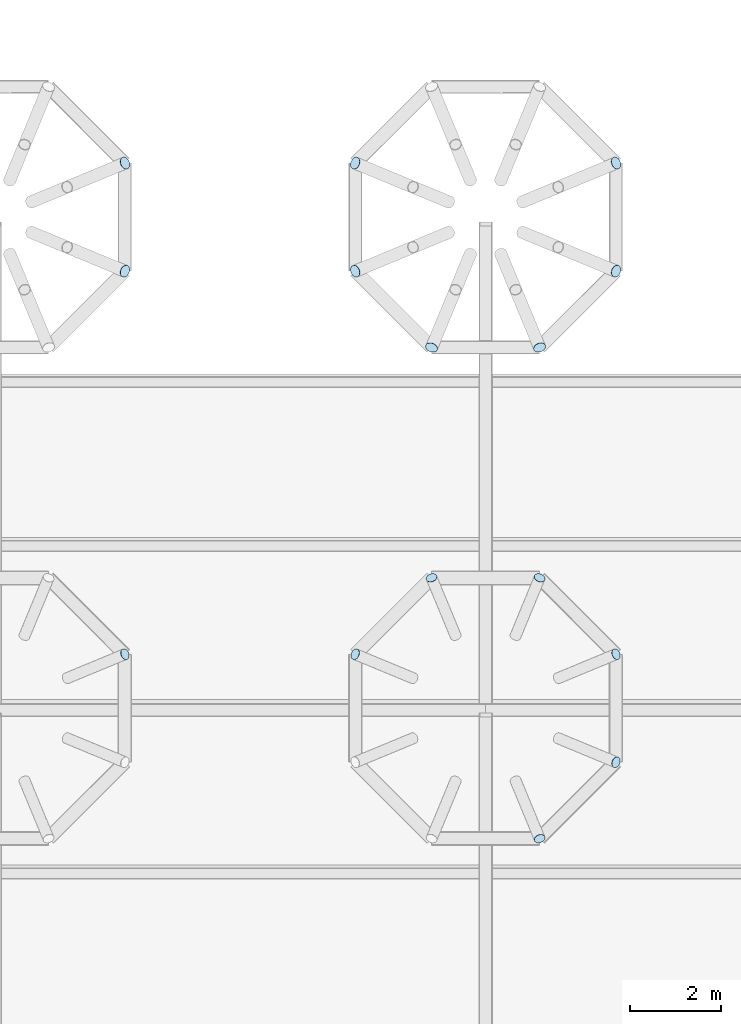
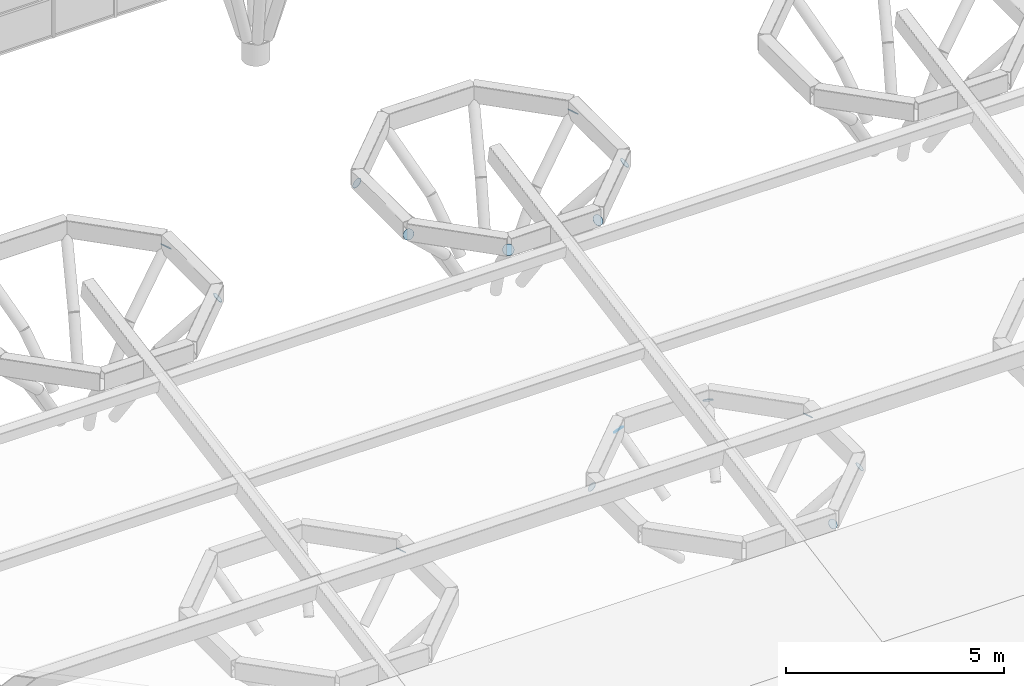
# One storey, part 22 of 42: 15 plates.
"""IFC4 building model written with IfcOpenShell, lengths in metres."""

from ifc_helpers import new_model, si_unit, direction, frame, origin, origin_2d, place, context, subcontext, project, spatial, circle, extrude, material, material_profile, profile_set, type_object, element, save


model = new_model("IFC4")

# Units and contexts
model_context = context("Model", 3, precision=1e-05, world=origin(), true_north=direction((0.0, 1.0)))
body_context = subcontext(model_context, "Body", "Model", "MODEL_VIEW")
ifc_project = project(units=[si_unit("LENGTHUNIT", "METRE"), si_unit("AREAUNIT", "SQUARE_METRE"), si_unit("VOLUMEUNIT", "CUBIC_METRE"), si_unit("PLANEANGLEUNIT", "RADIAN"), si_unit("MASSUNIT", "GRAM", prefix="KILO")], contexts=[model_context])

# Site, building, storey
site_placement = place(None, origin())
site = spatial("IfcSite", under=ifc_project, at=site_placement, CompositionType="ELEMENT")
building_placement = place(site_placement, origin())
building = spatial("IfcBuilding", under=site, at=building_placement, Name="Magnolia Steps Interchange", CompositionType="ELEMENT")
storey_placement = place(building_placement, frame((0.0, 0.0, 12.60009765625)))
storey = spatial("IfcBuildingStorey", under=building, at=storey_placement, Name="L03", CompositionType="ELEMENT", Elevation=12.60009765625)

# Plates
ifc_material_1 = material(Name="Steel Q355B", Category="steel")
ifc_material_profile_1 = material_profile(ifc_material_1, circle(Radius=0.12255859375, at=origin_2d()), Name="End plate CHS245x12")
ifc_profile_set_1 = profile_set([ifc_material_profile_1], Name="Steel Q355B")
plate_type_1 = type_object("IfcPlateType", Name="End plate CHS245x12", PredefinedType="SHEET", material=ifc_profile_set_1)
for number, where, z_axis, x_axis, name in (
    (1, (66.864013671875, 65.186279296875, 1.349853515625), (0.664583318381, 0.275279424158, 0.694658370398), (-0.382683432789, 0.923879532336, 0.0), "End plate Tree rib"),
    (2, (77.6640625, 65.186279296875, 1.349853515625), (0.664583318381, 0.275279424158, 0.694658370398), (-0.382683432789, 0.923879532336, 0.0), "End plate Tree rib"),
    (3, (75.986328125, 66.864013671875, 1.349853515625), (0.275279424158, 0.664583318381, 0.694658370398), (-0.923879532336, 0.382683432789, 0.0), "End plate Tree rib"),
    (4, (73.61376953125, 66.864013671875, 1.349853515625), (-0.275279424158, 0.664583318381, 0.694658370398), (-0.923879532336, -0.382683432789, 0.0), "End plate Tree rib"),
    (5, (71.93603515625, 65.186279296875, 1.349853515625), (-0.664583318381, 0.275279424158, 0.694658370398), (-0.382683432789, -0.923879532336, 0.0), "End plate Tree rib"),
    (6, (75.986328125, 61.135986328125, 1.349853515625), (0.275279424158, -0.664583318381, 0.694658370398), (0.923879532336, 0.382683432789, 0.0), "End plate Tree rib"),
    (7, (77.6640625, 62.813720703125, 1.349853515625), (0.664583318381, -0.275279424158, 0.694658370398), (0.382683432789, 0.923879532336, 0.0), "End plate Tree rib"),
):
    element("IfcPlate", number, at=place(storey_placement, frame(where, z_axis=z_axis, x_axis=x_axis)), inside=storey, type_object=plate_type_1, Name=name, PredefinedType="SHEET", context=body_context, shape_type="SweptSolid", body=[
        extrude(circle(Radius=0.12255859375, at=origin_2d()), origin(), (0.0, 0.0, 1.0), 0.008056640625),
    ])
ifc_material_2 = material(Name="Steel Q355B", Category="steel")
ifc_material_profile_2 = material_profile(ifc_material_2, circle(Radius=0.136474609375, at=origin_2d()), Name="End plate CHS273x14")
ifc_profile_set_2 = profile_set([ifc_material_profile_2], Name="Steel Q355B")
plate_type_2 = type_object("IfcPlateType", Name="End plate CHS273x14", PredefinedType="SHEET", material=ifc_profile_set_2)
for number, where, z_axis, x_axis, name in (
    (8, (66.864013671875, 75.986328125, 3.325439453125), (0.664583318381, 0.275279424158, 0.694658370398), (-0.382683432789, 0.923879532336, 0.0), "End plate Tree rib"),
    (9, (66.864013671875, 73.61376953125, 3.325439453125), (0.664583318381, -0.275279424158, 0.694658370398), (0.382683432789, 0.923879532336, 0.0), "End plate Tree rib"),
    (10, (77.6640625, 75.986328125, 3.325439453125), (0.664583318381, 0.275279424158, 0.694658370398), (-0.382683432789, 0.923879532336, 0.0), "End plate Tree rib"),
    (11, (71.93603515625, 75.986328125, 3.325439453125), (-0.664583318381, 0.275279424158, 0.694658370398), (-0.382683432789, -0.923879532336, 0.0), "End plate Tree rib"),
    (12, (71.93603515625, 73.61376953125, 3.325439453125), (-0.664583318381, -0.275279424158, 0.694658370398), (0.382683432789, -0.923879532336, 0.0), "End plate Tree rib"),
    (13, (73.61376953125, 71.93603515625, 3.325439453125), (-0.275279424158, -0.664583318381, 0.694658370398), (0.923879532336, -0.382683432789, 0.0), "End plate Tree rib"),
    (14, (75.986328125, 71.93603515625, 3.325439453125), (0.275279424158, -0.664583318381, 0.694658370398), (0.923879532336, 0.382683432789, 0.0), "End plate Tree rib"),
    (15, (77.6640625, 73.61376953125, 3.325439453125), (0.664583318381, -0.275279424158, 0.694658370398), (0.382683432789, 0.923879532336, 0.0), "End plate Tree rib"),
):
    element("IfcPlate", number, at=place(storey_placement, frame(where, z_axis=z_axis, x_axis=x_axis)), inside=storey, type_object=plate_type_2, Name=name, PredefinedType="SHEET", context=body_context, shape_type="SweptSolid", body=[
        extrude(circle(Radius=0.136474609375, at=origin_2d()), origin(), (0.0, 0.0, 1.0), 0.008056640625),
    ])

save(model, "model.ifc")
